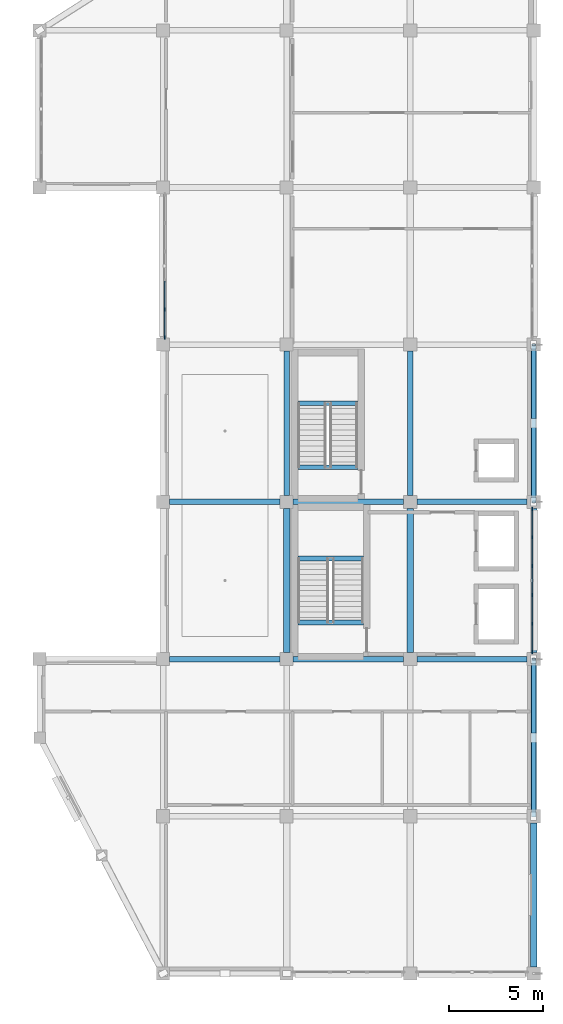
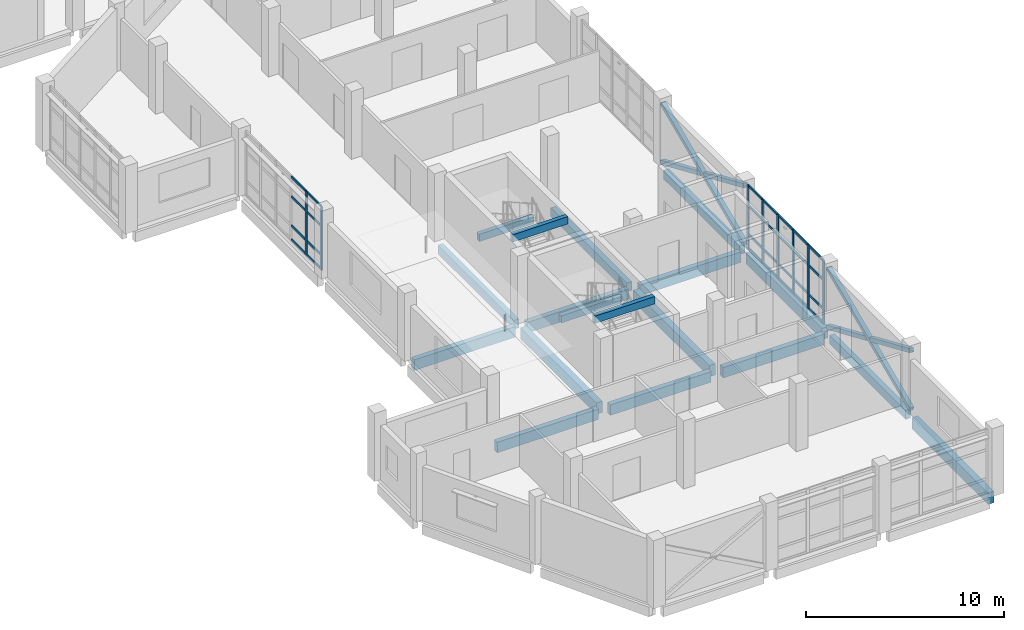
# One storey, part 27 of 78: 42 members, 18 beams, 2 elements without a shape of their own.
"""IFC4 building model written with IfcOpenShell, lengths in metres."""

import ifcopenshell
import ifcopenshell.guid

model = None  # the IFC model being written
_history = None  # IfcOwnerHistory: only IFC2X3 demands one
_inside = {}  # id of a spatial element -> (the spatial element, [elements in it])
_under = {}  # id of a project, library or spatial element -> (it, [spatial elements below it])
_declared = {}  # id of a project -> (the project, [libraries it declares])
_typed = {}  # id of a type object -> (the type object, [elements of that type])
_made_of = {}  # id of a material, layer set ... -> (it, [elements and type objects made of it])


def new_model(schema):
    """Start an empty IFC model of exactly this schema.

    Asked for "IFC4X3", IfcOpenShell would pick the latest addendum, in which some entities
    have other attributes; the version numbers below select the first issue.
    IFC2X3 requires an IfcOwnerHistory on every rooted entity: one is made here for all.
    """
    global model, _history
    if schema == "IFC4X3":
        model = ifcopenshell.file(schema_version=(4, 3, 0, 0))
    else:
        model = ifcopenshell.file(schema=schema)
    _inside.clear()
    _under.clear()
    _declared.clear()
    _typed.clear()
    _made_of.clear()
    _history = None
    if model.schema == "IFC2X3":
        org = make("IfcOrganization", Name="unknown")
        user = make(
            "IfcPersonAndOrganization",
            ThePerson=make("IfcPerson", FamilyName="unknown"),
            TheOrganization=org,
        )
        app = make(
            "IfcApplication",
            ApplicationDeveloper=org,
            Version="unknown",
            ApplicationFullName="unknown",
            ApplicationIdentifier="unknown",
        )
        _history = make(
            "IfcOwnerHistory",
            OwningUser=user,
            OwningApplication=app,
            ChangeAction="ADDED",
            CreationDate=0,
        )
    return model


def make(cls, **values):
    """One entity of the class cls with the attributes given. An attribute that is None is left unset."""
    return model.create_entity(
        cls, **{name: value for name, value in values.items() if value is not None}
    )


def rooted(cls, **values):
    """An entity with a GlobalId (a new one), such as an element, a storey or a relation."""
    return make(cls, GlobalId=ifcopenshell.guid.new(), OwnerHistory=_history, **values)


def si_unit(unit_type, name, prefix=None):
    """IfcSIUnit, for example si_unit("LENGTHUNIT", "METRE", prefix="MILLI")."""
    return make("IfcSIUnit", UnitType=unit_type, Prefix=prefix, Name=name)


def assignment(units):
    """IfcUnitAssignment: the units of a project."""
    return None if units is None else make("IfcUnitAssignment", Units=units)


def point(xyz):
    """IfcCartesianPoint."""
    return None if xyz is None else make("IfcCartesianPoint", Coordinates=xyz)


def direction(xyz):
    """IfcDirection."""
    return None if xyz is None else make("IfcDirection", DirectionRatios=xyz)


def frame(location, z_axis=None, x_axis=None):
    """IfcAxis2Placement3D, a coordinate frame: its origin and axes. An axis left out is left unset."""
    return make(
        "IfcAxis2Placement3D",
        Location=point(location),
        Axis=direction(z_axis),
        RefDirection=direction(x_axis),
    )


def frame_2d(location, x_axis=None):
    """IfcAxis2Placement2D, a coordinate frame in the plane: its origin and x axis."""
    return make(
        "IfcAxis2Placement2D", Location=point(location), RefDirection=direction(x_axis)
    )


def origin():
    """The frame at (0, 0, 0) with its axes left unset."""
    return frame((0.0, 0.0, 0.0))


def origin_2d():
    """The frame at (0, 0) in the plane with its x axis left unset."""
    return frame_2d((0.0, 0.0))


def place(relative_to, where):
    """IfcLocalPlacement: puts the frame where relative to a parent placement (None: the world)."""
    return make(
        "IfcLocalPlacement", PlacementRelTo=relative_to, RelativePlacement=where
    )


def context(
    kind, dimensions, precision=None, world=None, true_north=None, identifier=None
):
    """IfcGeometricRepresentationContext, for example the 3D "Model" context."""
    return make(
        "IfcGeometricRepresentationContext",
        ContextIdentifier=identifier,
        ContextType=kind,
        CoordinateSpaceDimension=dimensions,
        Precision=precision,
        WorldCoordinateSystem=world,
        TrueNorth=true_north,
    )


def subcontext(parent, identifier, kind, view, scale=None):
    """IfcGeometricRepresentationSubContext, for example "Body" below "Model"."""
    return make(
        "IfcGeometricRepresentationSubContext",
        ContextIdentifier=identifier,
        ContextType=kind,
        ParentContext=parent,
        TargetScale=scale,
        TargetView=view,
    )


def project(units=None, contexts=None):
    """IfcProject with its units and contexts."""
    return rooted(
        "IfcProject",
        Name="project",
        RepresentationContexts=contexts,
        UnitsInContext=assignment(units),
    )


def spatial(cls, under=None, at=None, **own):
    """A site, building, storey or space (cls), placed at a placement, below another one or the project."""
    s = rooted(cls, ObjectPlacement=at, **own)
    if under is not None:
        _under.setdefault(under.id(), (under, []))[1].append(s)
    return s


def profile(cls, at=None, kind="AREA", **sizes):
    """A parametric profile (cls). Its sizes go by their IFC names, for example OverallWidth=200.0."""
    return make(cls, ProfileType=kind, Position=at, **sizes)


def rectangle(**sizes):
    """IfcRectangleProfileDef."""
    return profile("IfcRectangleProfileDef", **sizes)


def hollow_rectangle(**sizes):
    """IfcRectangleHollowProfileDef."""
    return profile("IfcRectangleHollowProfileDef", **sizes)


def extrude(swept, where, along, depth):
    """IfcExtrudedAreaSolid: the profile swept, set in the frame where, extruded along a direction by depth."""
    return make(
        "IfcExtrudedAreaSolid",
        SweptArea=swept,
        Position=where,
        ExtrudedDirection=direction(along),
        Depth=depth,
    )


def shape(context_of_items, identifier, shape_type, items):
    """IfcShapeRepresentation: the items that make up one representation, for example the "Body"."""
    return make(
        "IfcShapeRepresentation",
        ContextOfItems=context_of_items,
        RepresentationIdentifier=identifier,
        RepresentationType=shape_type,
        Items=items,
    )


def material(Name=None, Category=None):
    """IfcMaterial."""
    return make("IfcMaterial", Name=Name, Category=Category)


def material_profile(
    of_material, cross_section, Name=None, Category=None, Priority=None
):
    """IfcMaterialProfile: a cross section and its material."""
    return make(
        "IfcMaterialProfile",
        Name=Name,
        Material=of_material,
        Profile=cross_section,
        Priority=Priority,
        Category=Category,
    )


def profile_set(profiles, Name=None, composite=None):
    """IfcMaterialProfileSet."""
    return make(
        "IfcMaterialProfileSet",
        Name=Name,
        MaterialProfiles=profiles,
        CompositeProfile=composite,
    )


def made_of(thing, what):
    """Note that an element or type object is made of a material, layer set ...; save() writes the relation."""
    if what is not None:
        _made_of.setdefault(what.id(), (what, []))[1].append(thing)
    return thing


def type_object(cls, material=None, **own):
    """A type object (cls), such as IfcWallType, which elements share."""
    return made_of(rooted(cls, **own), material)


def element(
    cls,
    number,
    at=None,
    inside=None,
    cuts=None,
    type_object=None,
    material=None,
    context=None,
    identifier="Body",
    shape_type=None,
    held_by="IfcProductDefinitionShape",
    body=None,
    shapes=None,
    **own,
):
    """One element of the class cls, such as IfcWall. Its Tag is "e" and its number.

    at: its placement. inside: the storey or other place that contains it. cuts: it is an
    opening in that element (IfcRelVoidsElement). A single representation is given by context,
    identifier, shape_type and body (its items); several are given by shapes. held_by: the class
    of the entity that holds the representations. save() writes the other relations.
    """
    e = rooted(cls, Tag="e%d" % number, ObjectPlacement=at, **own)
    if body is not None:
        shapes = [shape(context, identifier, shape_type, body)]
    if shapes is not None:
        e.Representation = make(held_by, Representations=shapes)
    if inside is not None:
        _inside.setdefault(inside.id(), (inside, []))[1].append(e)
    if cuts is not None:
        rooted(
            "IfcRelVoidsElement", RelatingBuildingElement=cuts, RelatedOpeningElement=e
        )
    if type_object is not None:
        _typed.setdefault(type_object.id(), (type_object, []))[1].append(e)
    return made_of(e, material)


def aggregate(whole, parts):
    """IfcRelAggregates: a whole, such as a stair, and the parts it consists of."""
    return rooted("IfcRelAggregates", RelatingObject=whole, RelatedObjects=parts)


def save(model, path):
    """Write the relations noted so far, then the file.

    IfcRelAggregates (storeys below a building ...), IfcRelContainedInSpatialStructure (elements
    in a storey), IfcRelDefinesByType, IfcRelAssociatesMaterial and IfcRelDeclares: one each for
    every whole, place, type object, material and project.
    """
    for whole, parts in _under.values():
        aggregate(whole, parts)
    for where, things in _inside.values():
        rooted(
            "IfcRelContainedInSpatialStructure",
            RelatedElements=things,
            RelatingStructure=where,
        )
    for kind, things in _typed.values():
        rooted("IfcRelDefinesByType", RelatedObjects=things, RelatingType=kind)
    for what, things in _made_of.values():
        rooted("IfcRelAssociatesMaterial", RelatedObjects=things, RelatingMaterial=what)
    for by, libraries in _declared.values():
        rooted("IfcRelDeclares", RelatingContext=by, RelatedDefinitions=libraries)
    model.write(path)


model = new_model("IFC4")

# Units and contexts
model_context = context("Model", 3, precision=1e-05, world=origin(), true_north=direction((0.0, 1.0)))
body_context = subcontext(model_context, "Body", "Model", "MODEL_VIEW")
ifc_project = project(units=[si_unit("LENGTHUNIT", "METRE"), si_unit("AREAUNIT", "SQUARE_METRE"), si_unit("VOLUMEUNIT", "CUBIC_METRE"), si_unit("PLANEANGLEUNIT", "RADIAN"), si_unit("MASSUNIT", "GRAM", prefix="KILO")], contexts=[model_context])

# Site, building, storey
site_placement = place(None, origin())
site = spatial("IfcSite", under=ifc_project, at=site_placement, CompositionType="ELEMENT")
building_placement = place(site_placement, origin())
building = spatial("IfcBuilding", under=site, at=building_placement, Name="Qaldarim Faculty of Natural and Applied Sciences", CompositionType="ELEMENT")
storey_placement = place(building_placement, frame((0.0, 0.0, 18.60009765625)))
storey = spatial("IfcBuildingStorey", under=building, at=storey_placement, Name="L04", CompositionType="ELEMENT", Elevation=18.60009765625)

# Beams
ifc_material_1 = material(Name="Concrete C40/50", Category="concrete")
ifc_material_profile_1 = material_profile(ifc_material_1, rectangle(XDim=0.300048828125, YDim=0.550048828125, at=origin_2d()), Name="RC-B300x550")
ifc_profile_set_1 = profile_set([ifc_material_profile_1], Name="Concrete C40/50")
beam_type_1 = type_object("IfcBeamType", Name="FloorBeam-RC300x550", PredefinedType="BEAM", material=ifc_profile_set_1)
for number, where, z_axis, x_axis, name in (
    (1, (165.0, 25.550048828125, -0.53515625), (0.0, 1.0, 0.0), (-1.0, 0.0, 0.0), "Beam RC-B300x550 L03 X26/Y04-Y05"),
    (2, (171.60009765625, 25.550048828125, -0.53515625), (0.0, 1.0, 0.0), (-1.0, 0.0, 0.0), "Beam RC-B300x550 L03 X27/Y04-Y05"),
    (3, (178.199951171875, 8.75, -0.53515625), (0.0, 1.0, 0.0), (-1.0, 0.0, 0.0), "Beam RC-B300x550 L03 X28/Y02-Y03"),
    (4, (178.199951171875, 25.550048828125, -0.53515625), (0.0, 1.0, 0.0), (-1.0, 0.0, 0.0), "Beam RC-B300x550 L03 X28/Y04-Y05"),
):
    element("IfcBeam", number, at=place(storey_placement, frame(where, z_axis=z_axis, x_axis=x_axis)), inside=storey, type_object=beam_type_1, Name=name, PredefinedType="BEAM", context=body_context, shape_type="SweptSolid", body=[
        extrude(rectangle(XDim=0.300048828125, YDim=0.550048828125, at=origin_2d()), origin(), (0.0, 0.0, 1.0), 7.699951171875),
    ])
ifc_material_profile_2 = material_profile(ifc_material_1, rectangle(XDim=0.25, YDim=0.449951171875, at=origin_2d()), Name="RC-LN250x450")
ifc_profile_set_2 = profile_set([ifc_material_profile_2], Name="Concrete C40/50")
beam_type_2 = type_object("IfcBeamType", Name="LandingSupportBeam-RC250x450", PredefinedType="BEAM", material=ifc_profile_set_2)
for number, where, z_axis, x_axis, name in (
    (5, (165.60009765625, 22.169921875, 1.664794921875), (1.0, 0.0, 0.0), (0.0, 1.0, 0.0), "Stair landing support beam ST-A1 L04"),
    (6, (165.60009765625, 18.75, 3.71484375), (1.0, 0.0, 0.0), (0.0, 1.0, 0.0), "Stair arrival support beam ST-A1 L04"),
):
    element("IfcBeam", number, at=place(storey_placement, frame(where, z_axis=z_axis, x_axis=x_axis)), inside=storey, type_object=beam_type_2, Name=name, PredefinedType="BEAM", context=body_context, shape_type="SweptSolid", body=[
        extrude(rectangle(XDim=0.25, YDim=0.449951171875, at=origin_2d()), origin(), (0.0, 0.0, 1.0), 3.5),
    ])
for number, where, z_axis, x_axis, name in (
    (7, (165.60009765625, 30.469970703125, 1.664794921875), (1.0, 0.0, 0.0), (0.0, 1.0, 0.0), "Stair landing support beam ST-A2 L04"),
    (8, (165.60009765625, 27.050048828125, 3.71484375), (1.0, 0.0, 0.0), (0.0, 1.0, 0.0), "Stair arrival support beam ST-A2 L04"),
):
    element("IfcBeam", number, at=place(storey_placement, frame(where, z_axis=z_axis, x_axis=x_axis)), inside=storey, type_object=beam_type_2, Name=name, PredefinedType="BEAM", context=body_context, shape_type="SweptSolid", body=[
        extrude(rectangle(XDim=0.25, YDim=0.449951171875, at=origin_2d()), origin(), (0.0, 0.0, 1.0), 3.199951171875),
    ])

# Members
ifc_material_2 = material(Name="Structural steel S355", Category="steel")
ifc_material_profile_3 = material_profile(ifc_material_2, hollow_rectangle(XDim=0.25, YDim=0.25, WallThickness=0.01611328125, at=origin_2d()), Name="SHS 250x250x16.0")
ifc_profile_set_3 = profile_set([ifc_material_profile_3], Name="Structural steel S355")
member_type_1 = type_object("IfcMemberType", Name="MidWingBrace-SHS250x16", PredefinedType="BRACE", material=ifc_profile_set_3)
member_1_placement = place(storey_placement, frame((178.199951171875, 8.39990234375, 0.0), z_axis=(0.0, 0.917562435593, 0.397591721227), x_axis=(-1.0, 0.0, 0.0)))
element("IfcMember", 9, at=member_1_placement, inside=storey, type_object=member_type_1, Name="East diagrid L04 primary brace L", PredefinedType="BRACE", context=body_context, shape_type="SweptSolid", body=[
    extrude(hollow_rectangle(XDim=0.25, YDim=0.25, WallThickness=0.01611328125, at=origin_2d()), origin(), (0.0, 0.0, 1.0), 9.15478515625),
])
for number, where, z_axis, x_axis, name in (
    (10, (178.199951171875, 16.800048828125, 0.0), (0.0, -0.917427558482, 0.397902846104), (1.0, 0.0, 0.0), "East diagrid L04 split secondary lower brace R1"),
    (11, (178.199951171875, 12.39990234375, 1.90478515625), (0.0, -0.917407116796, 0.397949974308), (1.0, 0.0, 0.0), "East diagrid L04 split secondary upper brace R2"),
):
    element("IfcMember", number, at=place(storey_placement, frame(where, z_axis=z_axis, x_axis=x_axis)), inside=storey, type_object=member_type_1, Name=name, PredefinedType="BRACE", context=body_context, shape_type="SweptSolid", body=[
        extrude(hollow_rectangle(XDim=0.25, YDim=0.25, WallThickness=0.01611328125, at=origin_2d()), origin(), (0.0, 0.0, 1.0), 4.360107421875),
    ])
member_2_placement = place(storey_placement, frame((178.199951171875, 25.199951171875, 0.0), z_axis=(0.0, 0.917562435593, 0.397591721227), x_axis=(-1.0, 0.0, 0.0)))
element("IfcMember", 12, at=member_2_placement, inside=storey, type_object=member_type_1, Name="Upper east diagrid L04 primary brace L", PredefinedType="BRACE", context=body_context, shape_type="SweptSolid", body=[
    extrude(hollow_rectangle(XDim=0.25, YDim=0.25, WallThickness=0.01611328125, at=origin_2d()), origin(), (0.0, 0.0, 1.0), 9.15478515625),
])
for number, where, z_axis, x_axis, name in (
    (13, (178.199951171875, 33.60009765625, 0.0), (0.0, -0.917427558482, 0.397902846104), (1.0, 0.0, 0.0), "Upper east diagrid L04 split secondary lower brace R1"),
    (14, (178.199951171875, 29.199951171875, 1.90478515625), (0.0, -0.917407116796, 0.397949974308), (1.0, 0.0, 0.0), "Upper east diagrid L04 split secondary upper brace R2"),
):
    element("IfcMember", number, at=place(storey_placement, frame(where, z_axis=z_axis, x_axis=x_axis)), inside=storey, type_object=member_type_1, Name=name, PredefinedType="BRACE", context=body_context, shape_type="SweptSolid", body=[
        extrude(hollow_rectangle(XDim=0.25, YDim=0.25, WallThickness=0.01611328125, at=origin_2d()), origin(), (0.0, 0.0, 1.0), 4.360107421875),
    ])

# Curtain wall, members
ifc_material_3 = material(Name="Anodised aluminium AW-6063", Category="aluminium")
curtain_wall_type = type_object("IfcCurtainWallType", Name="CurtainWallSystem-M1700", PredefinedType="USERDEFINED", material=ifc_material_3)
curtain_wall_1_placement = place(storey_placement, origin())
curtain_wall_1 = element("IfcCurtainWall", 15, at=curtain_wall_1_placement, inside=storey, type_object=curtain_wall_type, Name="Curtain wall CW-L04-W-X25Y05", ObjectType="UNITISED FACADE", PredefinedType="USERDEFINED")
ifc_material_profile_4 = material_profile(ifc_material_3, rectangle(XDim=0.070068359375, YDim=0.179931640625, at=origin_2d()), Name="ALU-M70x180")
ifc_profile_set_4 = profile_set([ifc_material_profile_4], Name="Anodised aluminium AW-6063")
member_type_2 = type_object("IfcMemberType", Name="Mullion-ALU70x180", PredefinedType="MULLION", material=ifc_profile_set_4)
member_3_placement = place(storey_placement, frame((158.47998046875, 35.487060546875, 0.0), z_axis=(0.0, 0.0, 1.0), x_axis=(1.0, 0.0, 0.0)))
member_3 = element("IfcMember", 16, at=member_3_placement, type_object=member_type_2, Name="Mullion 5 of CW-L04-W-X25Y05", PredefinedType="MULLION", context=body_context, shape_type="SweptSolid", body=[
    extrude(rectangle(XDim=0.070068359375, YDim=0.179931640625, at=origin_2d()), origin(), (0.0, 0.0, 1.0), 3.93994140625),
])
member_4_placement = place(storey_placement, frame((158.47998046875, 33.97998046875, 0.0), z_axis=(0.0, 0.0, 1.0), x_axis=(1.0, 0.0, 0.0)))
member_4 = element("IfcMember", 17, at=member_4_placement, type_object=member_type_2, Name="Mullion 6 of CW-L04-W-X25Y05", PredefinedType="MULLION", context=body_context, shape_type="SweptSolid", body=[
    extrude(rectangle(XDim=0.070068359375, YDim=0.179931640625, at=origin_2d()), origin(), (0.0, 0.0, 1.0), 3.93994140625),
])

curtain_wall_2_placement = place(storey_placement, origin())
curtain_wall_2 = element("IfcCurtainWall", 18, at=curtain_wall_2_placement, inside=storey, type_object=curtain_wall_type, Name="Curtain wall CW-L04-E-X27Y03", ObjectType="UNITISED FACADE", PredefinedType="USERDEFINED")
member_5_placement = place(storey_placement, frame((178.1201171875, 17.179931640625, 0.0), z_axis=(0.0, 0.0, 1.0), x_axis=(-1.0, 0.0, 0.0)))
member_5 = element("IfcMember", 19, at=member_5_placement, type_object=member_type_2, Name="Mullion 1 of CW-L04-E-X27Y03", PredefinedType="MULLION", context=body_context, shape_type="SweptSolid", body=[
    extrude(rectangle(XDim=0.070068359375, YDim=0.179931640625, at=origin_2d()), origin(), (0.0, 0.0, 1.0), 3.93994140625),
])
member_6_placement = place(storey_placement, frame((178.1201171875, 18.68701171875, 0.0), z_axis=(0.0, 0.0, 1.0), x_axis=(-1.0, 0.0, 0.0)))
member_6 = element("IfcMember", 20, at=member_6_placement, type_object=member_type_2, Name="Mullion 2 of CW-L04-E-X27Y03", PredefinedType="MULLION", context=body_context, shape_type="SweptSolid", body=[
    extrude(rectangle(XDim=0.070068359375, YDim=0.179931640625, at=origin_2d()), origin(), (0.0, 0.0, 1.0), 3.93994140625),
])
member_7_placement = place(storey_placement, frame((178.1201171875, 20.22900390625, 0.0), z_axis=(0.0, 0.0, 1.0), x_axis=(-1.0, 0.0, 0.0)))
member_7 = element("IfcMember", 21, at=member_7_placement, type_object=member_type_2, Name="Mullion 3 of CW-L04-E-X27Y03", PredefinedType="MULLION", context=body_context, shape_type="SweptSolid", body=[
    extrude(rectangle(XDim=0.070068359375, YDim=0.179931640625, at=origin_2d()), origin(), (0.0, 0.0, 1.0), 3.93994140625),
])
member_8_placement = place(storey_placement, frame((178.1201171875, 21.77099609375, 0.0), z_axis=(0.0, 0.0, 1.0), x_axis=(-1.0, 0.0, 0.0)))
member_8 = element("IfcMember", 22, at=member_8_placement, type_object=member_type_2, Name="Mullion 4 of CW-L04-E-X27Y03", PredefinedType="MULLION", context=body_context, shape_type="SweptSolid", body=[
    extrude(rectangle(XDim=0.070068359375, YDim=0.179931640625, at=origin_2d()), origin(), (0.0, 0.0, 1.0), 3.93994140625),
])
member_9_placement = place(storey_placement, frame((178.1201171875, 23.31298828125, 0.0), z_axis=(0.0, 0.0, 1.0), x_axis=(-1.0, 0.0, 0.0)))
member_9 = element("IfcMember", 23, at=member_9_placement, type_object=member_type_2, Name="Mullion 5 of CW-L04-E-X27Y03", PredefinedType="MULLION", context=body_context, shape_type="SweptSolid", body=[
    extrude(rectangle(XDim=0.070068359375, YDim=0.179931640625, at=origin_2d()), origin(), (0.0, 0.0, 1.0), 3.93994140625),
])
member_10_placement = place(storey_placement, frame((178.1201171875, 24.820068359375, 0.0), z_axis=(0.0, 0.0, 1.0), x_axis=(-1.0, 0.0, 0.0)))
member_10 = element("IfcMember", 24, at=member_10_placement, type_object=member_type_2, Name="Mullion 6 of CW-L04-E-X27Y03", PredefinedType="MULLION", context=body_context, shape_type="SweptSolid", body=[
    extrude(rectangle(XDim=0.070068359375, YDim=0.179931640625, at=origin_2d()), origin(), (0.0, 0.0, 1.0), 3.93994140625),
])

# Beams
ifc_material_profile_5 = material_profile(ifc_material_1, rectangle(XDim=0.300048828125, YDim=0.64990234375, at=origin_2d()), Name="RC-B300x650")
ifc_profile_set_5 = profile_set([ifc_material_profile_5], Name="Concrete C40/50")
beam_type_3 = type_object("IfcBeamType", Name="PrimaryBeam-RC300x650", PredefinedType="BEAM", material=ifc_profile_set_5)
for number, where, z_axis, x_axis, name in (
    (25, (158.75, 16.800048828125, -0.585205078125), (1.0, 0.0, 0.0), (0.0, 1.0, 0.0), "Beam RC-B300x650 L03 X25-X26/Y03"),
    (26, (165.35009765625, 16.800048828125, -0.585205078125), (1.0, 0.0, 0.0), (0.0, 1.0, 0.0), "Beam RC-B300x650 L03 X26-X27/Y03"),
):
    element("IfcBeam", number, at=place(storey_placement, frame(where, z_axis=z_axis, x_axis=x_axis)), inside=storey, type_object=beam_type_3, Name=name, PredefinedType="BEAM", context=body_context, shape_type="SweptSolid", body=[
        extrude(rectangle(XDim=0.300048828125, YDim=0.64990234375, at=origin_2d()), origin(), (0.0, 0.0, 1.0), 5.89990234375),
    ])
beam_1_placement = place(storey_placement, frame((171.949951171875, 16.800048828125, -0.585205078125), z_axis=(1.0, 0.0, 0.0), x_axis=(0.0, 1.0, 0.0)))
element("IfcBeam", 27, at=beam_1_placement, inside=storey, type_object=beam_type_3, Name="Beam RC-B300x650 L03 X27-X28/Y03", PredefinedType="BEAM", context=body_context, shape_type="SweptSolid", body=[
    extrude(rectangle(XDim=0.300048828125, YDim=0.64990234375, at=origin_2d()), origin(), (0.0, 0.0, 1.0), 5.900146484375),
])
for number, where, z_axis, x_axis, name in (
    (28, (158.75, 25.199951171875, -0.585205078125), (1.0, 0.0, 0.0), (0.0, 1.0, 0.0), "Beam RC-B300x650 L03 X25-X26/Y04"),
    (29, (165.35009765625, 25.199951171875, -0.585205078125), (1.0, 0.0, 0.0), (0.0, 1.0, 0.0), "Beam RC-B300x650 L03 X26-X27/Y04"),
):
    element("IfcBeam", number, at=place(storey_placement, frame(where, z_axis=z_axis, x_axis=x_axis)), inside=storey, type_object=beam_type_3, Name=name, PredefinedType="BEAM", context=body_context, shape_type="SweptSolid", body=[
        extrude(rectangle(XDim=0.300048828125, YDim=0.64990234375, at=origin_2d()), origin(), (0.0, 0.0, 1.0), 5.89990234375),
    ])
beam_2_placement = place(storey_placement, frame((171.949951171875, 25.199951171875, -0.585205078125), z_axis=(1.0, 0.0, 0.0), x_axis=(0.0, 1.0, 0.0)))
element("IfcBeam", 30, at=beam_2_placement, inside=storey, type_object=beam_type_3, Name="Beam RC-B300x650 L03 X27-X28/Y04", PredefinedType="BEAM", context=body_context, shape_type="SweptSolid", body=[
    extrude(rectangle(XDim=0.300048828125, YDim=0.64990234375, at=origin_2d()), origin(), (0.0, 0.0, 1.0), 5.900146484375),
])
ifc_material_profile_6 = material_profile(ifc_material_1, rectangle(XDim=0.35009765625, YDim=0.699951171875, at=origin_2d()), Name="RC-B350x700")
ifc_profile_set_6 = profile_set([ifc_material_profile_6], Name="Concrete C40/50")
beam_type_4 = type_object("IfcBeamType", Name="PrimaryGirder-RC350x700", PredefinedType="BEAM", material=ifc_profile_set_6)
for number, where, z_axis, x_axis, name in (
    (31, (165.0, 17.14990234375, -0.610107421875), (0.0, 1.0, 0.0), (-1.0, 0.0, 0.0), "Beam RC-B350x700 L03 X26/Y03-Y04"),
    (32, (171.60009765625, 17.14990234375, -0.610107421875), (0.0, 1.0, 0.0), (-1.0, 0.0, 0.0), "Beam RC-B350x700 L03 X27/Y03-Y04"),
):
    element("IfcBeam", number, at=place(storey_placement, frame(where, z_axis=z_axis, x_axis=x_axis)), inside=storey, type_object=beam_type_4, Name=name, PredefinedType="BEAM", context=body_context, shape_type="SweptSolid", body=[
        extrude(rectangle(XDim=0.35009765625, YDim=0.699951171875, at=origin_2d()), origin(), (0.0, 0.0, 1.0), 7.7001953125),
    ])
beam_3_placement = place(storey_placement, frame((178.199951171875, 0.35009765625, -0.610107421875), z_axis=(0.0, 1.0, 0.0), x_axis=(-1.0, 0.0, 0.0)))
element("IfcBeam", 33, at=beam_3_placement, inside=storey, type_object=beam_type_4, Name="Beam RC-B350x700 L03 X28/Y01-Y02", PredefinedType="BEAM", context=body_context, shape_type="SweptSolid", body=[
    extrude(rectangle(XDim=0.35009765625, YDim=0.699951171875, at=origin_2d()), origin(), (0.0, 0.0, 1.0), 7.699951171875),
])
beam_4_placement = place(storey_placement, frame((178.199951171875, 17.14990234375, -0.610107421875), z_axis=(0.0, 1.0, 0.0), x_axis=(-1.0, 0.0, 0.0)))
element("IfcBeam", 34, at=beam_4_placement, inside=storey, type_object=beam_type_4, Name="Beam RC-B350x700 L03 X28/Y03-Y04", PredefinedType="BEAM", context=body_context, shape_type="SweptSolid", body=[
    extrude(rectangle(XDim=0.35009765625, YDim=0.699951171875, at=origin_2d()), origin(), (0.0, 0.0, 1.0), 7.7001953125),
])

# Member
ifc_material_profile_7 = material_profile(ifc_material_3, rectangle(XDim=0.070068359375, YDim=0.139892578125, at=origin_2d()), Name="ALU-T70x140")
ifc_profile_set_7 = profile_set([ifc_material_profile_7], Name="Anodised aluminium AW-6063")
member_type_3 = type_object("IfcMemberType", Name="Transom-ALU70x140", PredefinedType="USERDEFINED", material=ifc_profile_set_7)
member_11_placement = place(storey_placement, frame((158.47998046875, 36.993896484375, 0.034912109375), z_axis=(0.0, -1.0, 0.0), x_axis=(1.0, 0.0, 0.0)))
member_11 = element("IfcMember", 35, at=member_11_placement, type_object=member_type_3, Name="Transom 4-1 of CW-L04-W-X25Y05", ObjectType="TRANSOM", PredefinedType="USERDEFINED", context=body_context, shape_type="SweptSolid", body=[
    extrude(rectangle(XDim=0.070068359375, YDim=0.139892578125, at=origin_2d()), origin(), (0.0, 0.0, 1.0), 1.471923828125),
])

member_12_placement = place(storey_placement, frame((158.47998046875, 36.993896484375, 0.89990234375), z_axis=(0.0, -1.0, 0.0), x_axis=(1.0, 0.0, 0.0)))
member_12 = element("IfcMember", 36, at=member_12_placement, type_object=member_type_3, Name="Transom 4-2 of CW-L04-W-X25Y05", ObjectType="TRANSOM", PredefinedType="USERDEFINED", context=body_context, shape_type="SweptSolid", body=[
    extrude(rectangle(XDim=0.070068359375, YDim=0.139892578125, at=origin_2d()), origin(), (0.0, 0.0, 1.0), 1.471923828125),
])

member_13_placement = place(storey_placement, frame((158.47998046875, 36.993896484375, 2.699951171875), z_axis=(0.0, -1.0, 0.0), x_axis=(1.0, 0.0, 0.0)))
member_13 = element("IfcMember", 37, at=member_13_placement, type_object=member_type_3, Name="Transom 4-3 of CW-L04-W-X25Y05", ObjectType="TRANSOM", PredefinedType="USERDEFINED", context=body_context, shape_type="SweptSolid", body=[
    extrude(rectangle(XDim=0.070068359375, YDim=0.139892578125, at=origin_2d()), origin(), (0.0, 0.0, 1.0), 1.471923828125),
])

member_14_placement = place(storey_placement, frame((158.47998046875, 36.993896484375, 3.90478515625), z_axis=(0.0, -1.0, 0.0), x_axis=(1.0, 0.0, 0.0)))
member_14 = element("IfcMember", 38, at=member_14_placement, type_object=member_type_3, Name="Transom 4-4 of CW-L04-W-X25Y05", ObjectType="TRANSOM", PredefinedType="USERDEFINED", context=body_context, shape_type="SweptSolid", body=[
    extrude(rectangle(XDim=0.070068359375, YDim=0.139892578125, at=origin_2d()), origin(), (0.0, 0.0, 1.0), 1.471923828125),
])

member_15_placement = place(storey_placement, frame((158.47998046875, 35.451904296875, 0.034912109375), z_axis=(0.0, -1.0, 0.0), x_axis=(1.0, 0.0, 0.0)))
member_15 = element("IfcMember", 39, at=member_15_placement, type_object=member_type_3, Name="Transom 5-1 of CW-L04-W-X25Y05", ObjectType="TRANSOM", PredefinedType="USERDEFINED", context=body_context, shape_type="SweptSolid", body=[
    extrude(rectangle(XDim=0.070068359375, YDim=0.139892578125, at=origin_2d()), origin(), (0.0, 0.0, 1.0), 1.43701171875),
])

member_16_placement = place(storey_placement, frame((158.47998046875, 35.451904296875, 0.89990234375), z_axis=(0.0, -1.0, 0.0), x_axis=(1.0, 0.0, 0.0)))
member_16 = element("IfcMember", 40, at=member_16_placement, type_object=member_type_3, Name="Transom 5-2 of CW-L04-W-X25Y05", ObjectType="TRANSOM", PredefinedType="USERDEFINED", context=body_context, shape_type="SweptSolid", body=[
    extrude(rectangle(XDim=0.070068359375, YDim=0.139892578125, at=origin_2d()), origin(), (0.0, 0.0, 1.0), 1.43701171875),
])

member_17_placement = place(storey_placement, frame((158.47998046875, 35.451904296875, 2.699951171875), z_axis=(0.0, -1.0, 0.0), x_axis=(1.0, 0.0, 0.0)))
member_17 = element("IfcMember", 41, at=member_17_placement, type_object=member_type_3, Name="Transom 5-3 of CW-L04-W-X25Y05", ObjectType="TRANSOM", PredefinedType="USERDEFINED", context=body_context, shape_type="SweptSolid", body=[
    extrude(rectangle(XDim=0.070068359375, YDim=0.139892578125, at=origin_2d()), origin(), (0.0, 0.0, 1.0), 1.43701171875),
])

member_18_placement = place(storey_placement, frame((158.47998046875, 35.451904296875, 3.90478515625), z_axis=(0.0, -1.0, 0.0), x_axis=(1.0, 0.0, 0.0)))
member_18 = element("IfcMember", 42, at=member_18_placement, type_object=member_type_3, Name="Transom 5-4 of CW-L04-W-X25Y05", ObjectType="TRANSOM", PredefinedType="USERDEFINED", context=body_context, shape_type="SweptSolid", body=[
    extrude(rectangle(XDim=0.070068359375, YDim=0.139892578125, at=origin_2d()), origin(), (0.0, 0.0, 1.0), 1.43701171875),
])

aggregate(curtain_wall_1, [member_3, member_4, member_11, member_12, member_13, member_14, member_15, member_16, member_17, member_18])

member_19_placement = place(storey_placement, frame((178.1201171875, 17.215087890625, 0.034912109375), z_axis=(0.0, 1.0, 0.0), x_axis=(-1.0, 0.0, 0.0)))
member_19 = element("IfcMember", 43, at=member_19_placement, type_object=member_type_3, Name="Transom 1-1 of CW-L04-E-X27Y03", ObjectType="TRANSOM", PredefinedType="USERDEFINED", context=body_context, shape_type="SweptSolid", body=[
    extrude(rectangle(XDim=0.070068359375, YDim=0.139892578125, at=origin_2d()), origin(), (0.0, 0.0, 1.0), 1.43701171875),
])

member_20_placement = place(storey_placement, frame((178.1201171875, 17.215087890625, 0.89990234375), z_axis=(0.0, 1.0, 0.0), x_axis=(-1.0, 0.0, 0.0)))
member_20 = element("IfcMember", 44, at=member_20_placement, type_object=member_type_3, Name="Transom 1-2 of CW-L04-E-X27Y03", ObjectType="TRANSOM", PredefinedType="USERDEFINED", context=body_context, shape_type="SweptSolid", body=[
    extrude(rectangle(XDim=0.070068359375, YDim=0.139892578125, at=origin_2d()), origin(), (0.0, 0.0, 1.0), 1.43701171875),
])

member_21_placement = place(storey_placement, frame((178.1201171875, 17.215087890625, 2.699951171875), z_axis=(0.0, 1.0, 0.0), x_axis=(-1.0, 0.0, 0.0)))
member_21 = element("IfcMember", 45, at=member_21_placement, type_object=member_type_3, Name="Transom 1-3 of CW-L04-E-X27Y03", ObjectType="TRANSOM", PredefinedType="USERDEFINED", context=body_context, shape_type="SweptSolid", body=[
    extrude(rectangle(XDim=0.070068359375, YDim=0.139892578125, at=origin_2d()), origin(), (0.0, 0.0, 1.0), 1.43701171875),
])

member_22_placement = place(storey_placement, frame((178.1201171875, 17.215087890625, 3.90478515625), z_axis=(0.0, 1.0, 0.0), x_axis=(-1.0, 0.0, 0.0)))
member_22 = element("IfcMember", 46, at=member_22_placement, type_object=member_type_3, Name="Transom 1-4 of CW-L04-E-X27Y03", ObjectType="TRANSOM", PredefinedType="USERDEFINED", context=body_context, shape_type="SweptSolid", body=[
    extrude(rectangle(XDim=0.070068359375, YDim=0.139892578125, at=origin_2d()), origin(), (0.0, 0.0, 1.0), 1.43701171875),
])

member_23_placement = place(storey_placement, frame((178.1201171875, 18.721923828125, 0.034912109375), z_axis=(0.0, 1.0, 0.0), x_axis=(-1.0, 0.0, 0.0)))
member_23 = element("IfcMember", 47, at=member_23_placement, type_object=member_type_3, Name="Transom 2-1 of CW-L04-E-X27Y03", ObjectType="TRANSOM", PredefinedType="USERDEFINED", context=body_context, shape_type="SweptSolid", body=[
    extrude(rectangle(XDim=0.070068359375, YDim=0.139892578125, at=origin_2d()), origin(), (0.0, 0.0, 1.0), 1.47216796875),
])

member_24_placement = place(storey_placement, frame((178.1201171875, 18.721923828125, 0.89990234375), z_axis=(0.0, 1.0, 0.0), x_axis=(-1.0, 0.0, 0.0)))
member_24 = element("IfcMember", 48, at=member_24_placement, type_object=member_type_3, Name="Transom 2-2 of CW-L04-E-X27Y03", ObjectType="TRANSOM", PredefinedType="USERDEFINED", context=body_context, shape_type="SweptSolid", body=[
    extrude(rectangle(XDim=0.070068359375, YDim=0.139892578125, at=origin_2d()), origin(), (0.0, 0.0, 1.0), 1.47216796875),
])

member_25_placement = place(storey_placement, frame((178.1201171875, 18.721923828125, 2.699951171875), z_axis=(0.0, 1.0, 0.0), x_axis=(-1.0, 0.0, 0.0)))
member_25 = element("IfcMember", 49, at=member_25_placement, type_object=member_type_3, Name="Transom 2-3 of CW-L04-E-X27Y03", ObjectType="TRANSOM", PredefinedType="USERDEFINED", context=body_context, shape_type="SweptSolid", body=[
    extrude(rectangle(XDim=0.070068359375, YDim=0.139892578125, at=origin_2d()), origin(), (0.0, 0.0, 1.0), 1.47216796875),
])

member_26_placement = place(storey_placement, frame((178.1201171875, 18.721923828125, 3.90478515625), z_axis=(0.0, 1.0, 0.0), x_axis=(-1.0, 0.0, 0.0)))
member_26 = element("IfcMember", 50, at=member_26_placement, type_object=member_type_3, Name="Transom 2-4 of CW-L04-E-X27Y03", ObjectType="TRANSOM", PredefinedType="USERDEFINED", context=body_context, shape_type="SweptSolid", body=[
    extrude(rectangle(XDim=0.070068359375, YDim=0.139892578125, at=origin_2d()), origin(), (0.0, 0.0, 1.0), 1.47216796875),
])

member_27_placement = place(storey_placement, frame((178.1201171875, 20.263916015625, 0.034912109375), z_axis=(0.0, 1.0, 0.0), x_axis=(-1.0, 0.0, 0.0)))
member_27 = element("IfcMember", 51, at=member_27_placement, type_object=member_type_3, Name="Transom 3-1 of CW-L04-E-X27Y03", ObjectType="TRANSOM", PredefinedType="USERDEFINED", context=body_context, shape_type="SweptSolid", body=[
    extrude(rectangle(XDim=0.070068359375, YDim=0.139892578125, at=origin_2d()), origin(), (0.0, 0.0, 1.0), 1.47216796875),
])

member_28_placement = place(storey_placement, frame((178.1201171875, 20.263916015625, 0.89990234375), z_axis=(0.0, 1.0, 0.0), x_axis=(-1.0, 0.0, 0.0)))
member_28 = element("IfcMember", 52, at=member_28_placement, type_object=member_type_3, Name="Transom 3-2 of CW-L04-E-X27Y03", ObjectType="TRANSOM", PredefinedType="USERDEFINED", context=body_context, shape_type="SweptSolid", body=[
    extrude(rectangle(XDim=0.070068359375, YDim=0.139892578125, at=origin_2d()), origin(), (0.0, 0.0, 1.0), 1.47216796875),
])

member_29_placement = place(storey_placement, frame((178.1201171875, 20.263916015625, 2.699951171875), z_axis=(0.0, 1.0, 0.0), x_axis=(-1.0, 0.0, 0.0)))
member_29 = element("IfcMember", 53, at=member_29_placement, type_object=member_type_3, Name="Transom 3-3 of CW-L04-E-X27Y03", ObjectType="TRANSOM", PredefinedType="USERDEFINED", context=body_context, shape_type="SweptSolid", body=[
    extrude(rectangle(XDim=0.070068359375, YDim=0.139892578125, at=origin_2d()), origin(), (0.0, 0.0, 1.0), 1.47216796875),
])

member_30_placement = place(storey_placement, frame((178.1201171875, 20.263916015625, 3.90478515625), z_axis=(0.0, 1.0, 0.0), x_axis=(-1.0, 0.0, 0.0)))
member_30 = element("IfcMember", 54, at=member_30_placement, type_object=member_type_3, Name="Transom 3-4 of CW-L04-E-X27Y03", ObjectType="TRANSOM", PredefinedType="USERDEFINED", context=body_context, shape_type="SweptSolid", body=[
    extrude(rectangle(XDim=0.070068359375, YDim=0.139892578125, at=origin_2d()), origin(), (0.0, 0.0, 1.0), 1.47216796875),
])

member_31_placement = place(storey_placement, frame((178.1201171875, 21.805908203125, 0.034912109375), z_axis=(0.0, 1.0, 0.0), x_axis=(-1.0, 0.0, 0.0)))
member_31 = element("IfcMember", 55, at=member_31_placement, type_object=member_type_3, Name="Transom 4-1 of CW-L04-E-X27Y03", ObjectType="TRANSOM", PredefinedType="USERDEFINED", context=body_context, shape_type="SweptSolid", body=[
    extrude(rectangle(XDim=0.070068359375, YDim=0.139892578125, at=origin_2d()), origin(), (0.0, 0.0, 1.0), 1.47216796875),
])

member_32_placement = place(storey_placement, frame((178.1201171875, 21.805908203125, 0.89990234375), z_axis=(0.0, 1.0, 0.0), x_axis=(-1.0, 0.0, 0.0)))
member_32 = element("IfcMember", 56, at=member_32_placement, type_object=member_type_3, Name="Transom 4-2 of CW-L04-E-X27Y03", ObjectType="TRANSOM", PredefinedType="USERDEFINED", context=body_context, shape_type="SweptSolid", body=[
    extrude(rectangle(XDim=0.070068359375, YDim=0.139892578125, at=origin_2d()), origin(), (0.0, 0.0, 1.0), 1.47216796875),
])

member_33_placement = place(storey_placement, frame((178.1201171875, 21.805908203125, 2.699951171875), z_axis=(0.0, 1.0, 0.0), x_axis=(-1.0, 0.0, 0.0)))
member_33 = element("IfcMember", 57, at=member_33_placement, type_object=member_type_3, Name="Transom 4-3 of CW-L04-E-X27Y03", ObjectType="TRANSOM", PredefinedType="USERDEFINED", context=body_context, shape_type="SweptSolid", body=[
    extrude(rectangle(XDim=0.070068359375, YDim=0.139892578125, at=origin_2d()), origin(), (0.0, 0.0, 1.0), 1.47216796875),
])

member_34_placement = place(storey_placement, frame((178.1201171875, 21.805908203125, 3.90478515625), z_axis=(0.0, 1.0, 0.0), x_axis=(-1.0, 0.0, 0.0)))
member_34 = element("IfcMember", 58, at=member_34_placement, type_object=member_type_3, Name="Transom 4-4 of CW-L04-E-X27Y03", ObjectType="TRANSOM", PredefinedType="USERDEFINED", context=body_context, shape_type="SweptSolid", body=[
    extrude(rectangle(XDim=0.070068359375, YDim=0.139892578125, at=origin_2d()), origin(), (0.0, 0.0, 1.0), 1.47216796875),
])

member_35_placement = place(storey_placement, frame((178.1201171875, 23.347900390625, 0.034912109375), z_axis=(0.0, 1.0, 0.0), x_axis=(-1.0, 0.0, 0.0)))
member_35 = element("IfcMember", 59, at=member_35_placement, type_object=member_type_3, Name="Transom 5-1 of CW-L04-E-X27Y03", ObjectType="TRANSOM", PredefinedType="USERDEFINED", context=body_context, shape_type="SweptSolid", body=[
    extrude(rectangle(XDim=0.070068359375, YDim=0.139892578125, at=origin_2d()), origin(), (0.0, 0.0, 1.0), 1.43701171875),
])

member_36_placement = place(storey_placement, frame((178.1201171875, 23.347900390625, 0.89990234375), z_axis=(0.0, 1.0, 0.0), x_axis=(-1.0, 0.0, 0.0)))
member_36 = element("IfcMember", 60, at=member_36_placement, type_object=member_type_3, Name="Transom 5-2 of CW-L04-E-X27Y03", ObjectType="TRANSOM", PredefinedType="USERDEFINED", context=body_context, shape_type="SweptSolid", body=[
    extrude(rectangle(XDim=0.070068359375, YDim=0.139892578125, at=origin_2d()), origin(), (0.0, 0.0, 1.0), 1.43701171875),
])

member_37_placement = place(storey_placement, frame((178.1201171875, 23.347900390625, 2.699951171875), z_axis=(0.0, 1.0, 0.0), x_axis=(-1.0, 0.0, 0.0)))
member_37 = element("IfcMember", 61, at=member_37_placement, type_object=member_type_3, Name="Transom 5-3 of CW-L04-E-X27Y03", ObjectType="TRANSOM", PredefinedType="USERDEFINED", context=body_context, shape_type="SweptSolid", body=[
    extrude(rectangle(XDim=0.070068359375, YDim=0.139892578125, at=origin_2d()), origin(), (0.0, 0.0, 1.0), 1.43701171875),
])

member_38_placement = place(storey_placement, frame((178.1201171875, 23.347900390625, 3.90478515625), z_axis=(0.0, 1.0, 0.0), x_axis=(-1.0, 0.0, 0.0)))
member_38 = element("IfcMember", 62, at=member_38_placement, type_object=member_type_3, Name="Transom 5-4 of CW-L04-E-X27Y03", ObjectType="TRANSOM", PredefinedType="USERDEFINED", context=body_context, shape_type="SweptSolid", body=[
    extrude(rectangle(XDim=0.070068359375, YDim=0.139892578125, at=origin_2d()), origin(), (0.0, 0.0, 1.0), 1.43701171875),
])

aggregate(curtain_wall_2, [member_5, member_6, member_7, member_8, member_9, member_10, member_19, member_20, member_21, member_22, member_23, member_24, member_25, member_26, member_27, member_28, member_29, member_30, member_31, member_32, member_33, member_34, member_35, member_36, member_37, member_38])

save(model, "model.ifc")
